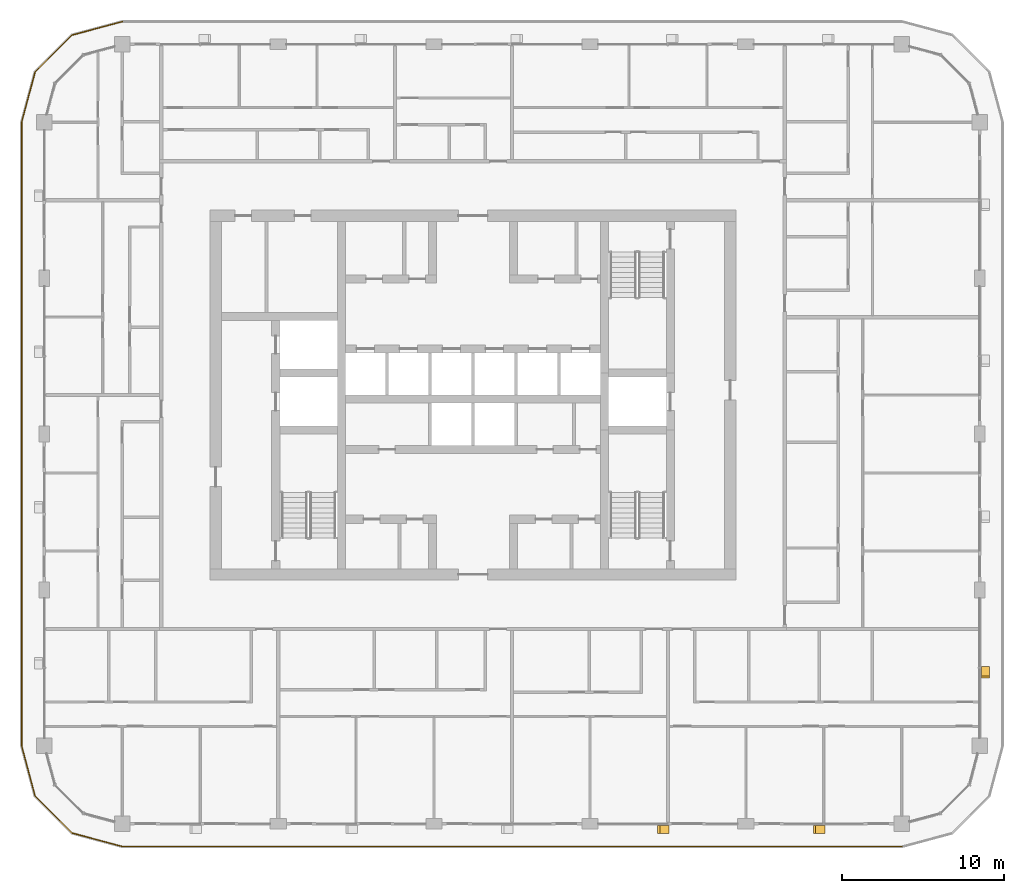
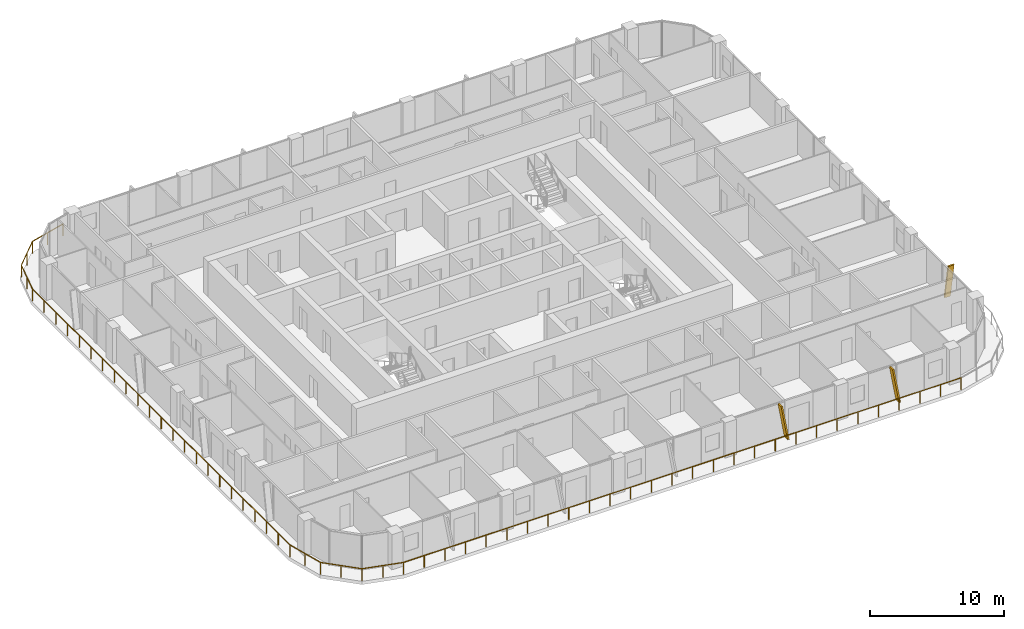
# One storey, part 19 of 22: 3 shading devices, 1 railing.
"""IFC4 building model written with IfcOpenShell, lengths in metres."""

from ifc_helpers import new_model, si_unit, direction, frame, origin, origin_2d, place, context, subcontext, project, spatial, polyline, circle, outline, extrude, material, type_object, element, save


model = new_model("IFC4")

# Units and contexts
model_context = context("Model", 3, precision=1e-05, world=origin(), true_north=direction((0.0, 1.0)))
body_context = subcontext(model_context, "Body", "Model", "MODEL_VIEW")
ifc_project = project(units=[si_unit("LENGTHUNIT", "METRE"), si_unit("AREAUNIT", "SQUARE_METRE"), si_unit("VOLUMEUNIT", "CUBIC_METRE"), si_unit("PLANEANGLEUNIT", "RADIAN"), si_unit("MASSUNIT", "GRAM", prefix="KILO")], contexts=[model_context])

# Site, building, storey
site_placement = place(None, origin())
site = spatial("IfcSite", under=ifc_project, at=site_placement, CompositionType="ELEMENT")
building_placement = place(site_placement, origin())
building = spatial("IfcBuilding", under=site, at=building_placement, Name="Madar Terraces", CompositionType="ELEMENT")
storey_placement = place(building_placement, frame((0.0, 0.0, 182.39990234375)))
storey = spatial("IfcBuildingStorey", under=building, at=storey_placement, Name="L47", CompositionType="ELEMENT", Elevation=182.39990234375)

# Railing
ifc_material_1 = material(Name="Glass, safety glazing, with stainless steel posts", Category="steel")
railing_type = type_object("IfcRailingType", Name="Balcony glass guard 1100", PredefinedType="GUARDRAIL", material=ifc_material_1)
railing_placement = place(storey_placement, frame((9.60009765625, 49.39990234375, 0.0)))
element("IfcRailing", 1, at=railing_placement, inside=storey, type_object=railing_type, Name="Balcony guard", PredefinedType="GUARDRAIL", context=body_context, shape_type="SweptSolid", body=[
    extrude(circle(Radius=0.02392578125, at=origin_2d()), frame((0.0, 0.0, 1.076171875), z_axis=(-0.9659337912, -0.258789317819, 0.0), x_axis=(0.258789317819, -0.9659337912, 0.0)), (0.0, 0.0, 1.0), 3.20947265625),
    extrude(circle(Radius=0.02392578125, at=origin_2d()), frame((-3.10009765625, -0.83056640625, 1.076171875), z_axis=(-0.707106781187, -0.707106781187, 0.0), x_axis=(0.707106781187, -0.707106781187, 0.0)), (0.0, 0.0, 1.0), 3.209228515625),
    extrude(circle(Radius=0.02392578125, at=origin_2d()), frame((-5.369384765625, -3.099853515625, 1.076171875), z_axis=(-0.258860290944, -0.965914773555, 0.0), x_axis=(0.965914773555, -0.258860290944, 0.0)), (0.0, 0.0, 1.0), 3.20947265625),
    extrude(circle(Radius=0.02392578125, at=origin_2d()), frame((-6.2001953125, -6.199951171875, 1.076171875), z_axis=(0.0, -1.0, 0.0), x_axis=(1.0, 0.0, 0.0)), (0.0, 0.0, 1.0), 38.39990234375),
    extrude(circle(Radius=0.02392578125, at=origin_2d()), frame((-6.2001953125, -44.599853515625, 1.076171875), z_axis=(0.258860290944, -0.965914773555, 0.0), x_axis=(0.965914773555, 0.258860290944, 0.0)), (0.0, 0.0, 1.0), 3.20947265625),
    extrude(circle(Radius=0.02392578125, at=origin_2d()), frame((-5.369384765625, -47.699951171875, 1.076171875), z_axis=(0.707106781187, -0.707106781187, 0.0), x_axis=(0.707106781187, 0.707106781187, 0.0)), (0.0, 0.0, 1.0), 3.209228515625),
    extrude(circle(Radius=0.02392578125, at=origin_2d()), frame((-3.10009765625, -49.96923828125, 1.076171875), z_axis=(0.9659337912, -0.258789317819, 0.0), x_axis=(0.258789317819, 0.9659337912, 0.0)), (0.0, 0.0, 1.0), 3.20947265625),
    extrude(circle(Radius=0.02392578125, at=origin_2d()), frame((0.0, -50.7998046875, 1.076171875), z_axis=(1.0, 0.0, 0.0), x_axis=(0.0, 1.0, 0.0)), (0.0, 0.0, 1.0), 48.0),
    extrude(circle(Radius=0.02099609375, at=origin_2d()), origin(), (0.0, 0.0, 1.0), 1.052001953125),
    extrude(circle(Radius=0.02099609375, at=origin_2d()), frame((-1.550048828125, -0.415283203125, 0.0)), (0.0, 0.0, 1.0), 1.052001953125),
    extrude(circle(Radius=0.02099609375, at=origin_2d()), frame((-3.10009765625, -0.83056640625, 0.0)), (0.0, 0.0, 1.0), 1.052001953125),
    extrude(circle(Radius=0.02099609375, at=origin_2d()), frame((-4.23486328125, -1.96533203125, 0.0)), (0.0, 0.0, 1.0), 1.052001953125),
    extrude(circle(Radius=0.02099609375, at=origin_2d()), frame((-5.369384765625, -3.099853515625, 0.0)), (0.0, 0.0, 1.0), 1.052001953125),
    extrude(circle(Radius=0.02099609375, at=origin_2d()), frame((-5.78466796875, -4.64990234375, 0.0)), (0.0, 0.0, 1.0), 1.052001953125),
    extrude(circle(Radius=0.02099609375, at=origin_2d()), frame((-6.2001953125, -6.199951171875, 0.0)), (0.0, 0.0, 1.0), 1.052001953125),
    extrude(circle(Radius=0.02099609375, at=origin_2d()), frame((-6.2001953125, -7.9453125, 0.0)), (0.0, 0.0, 1.0), 1.052001953125),
    extrude(circle(Radius=0.02099609375, at=origin_2d()), frame((-6.2001953125, -9.69091796875, 0.0)), (0.0, 0.0, 1.0), 1.052001953125),
    extrude(circle(Radius=0.02099609375, at=origin_2d()), frame((-6.2001953125, -11.436279296875, 0.0)), (0.0, 0.0, 1.0), 1.052001953125),
    extrude(circle(Radius=0.02099609375, at=origin_2d()), frame((-6.2001953125, -13.181640625, 0.0)), (0.0, 0.0, 1.0), 1.052001953125),
    extrude(circle(Radius=0.02099609375, at=origin_2d()), frame((-6.2001953125, -14.92724609375, 0.0)), (0.0, 0.0, 1.0), 1.052001953125),
    extrude(circle(Radius=0.02099609375, at=origin_2d()), frame((-6.2001953125, -16.672607421875, 0.0)), (0.0, 0.0, 1.0), 1.052001953125),
    extrude(circle(Radius=0.02099609375, at=origin_2d()), frame((-6.2001953125, -18.418212890625, 0.0)), (0.0, 0.0, 1.0), 1.052001953125),
    extrude(circle(Radius=0.02099609375, at=origin_2d()), frame((-6.2001953125, -20.16357421875, 0.0)), (0.0, 0.0, 1.0), 1.052001953125),
    extrude(circle(Radius=0.02099609375, at=origin_2d()), frame((-6.2001953125, -21.908935546875, 0.0)), (0.0, 0.0, 1.0), 1.052001953125),
    extrude(circle(Radius=0.02099609375, at=origin_2d()), frame((-6.2001953125, -23.654541015625, 0.0)), (0.0, 0.0, 1.0), 1.052001953125),
    extrude(circle(Radius=0.02099609375, at=origin_2d()), frame((-6.2001953125, -25.39990234375, 0.0)), (0.0, 0.0, 1.0), 1.052001953125),
    extrude(circle(Radius=0.02099609375, at=origin_2d()), frame((-6.2001953125, -27.145263671875, 0.0)), (0.0, 0.0, 1.0), 1.052001953125),
    extrude(circle(Radius=0.02099609375, at=origin_2d()), frame((-6.2001953125, -28.890869140625, 0.0)), (0.0, 0.0, 1.0), 1.052001953125),
    extrude(circle(Radius=0.02099609375, at=origin_2d()), frame((-6.2001953125, -30.63623046875, 0.0)), (0.0, 0.0, 1.0), 1.052001953125),
    extrude(circle(Radius=0.02099609375, at=origin_2d()), frame((-6.2001953125, -32.381591796875, 0.0)), (0.0, 0.0, 1.0), 1.052001953125),
    extrude(circle(Radius=0.02099609375, at=origin_2d()), frame((-6.2001953125, -34.127197265625, 0.0)), (0.0, 0.0, 1.0), 1.052001953125),
    extrude(circle(Radius=0.02099609375, at=origin_2d()), frame((-6.2001953125, -35.87255859375, 0.0)), (0.0, 0.0, 1.0), 1.052001953125),
    extrude(circle(Radius=0.02099609375, at=origin_2d()), frame((-6.2001953125, -37.6181640625, 0.0)), (0.0, 0.0, 1.0), 1.052001953125),
    extrude(circle(Radius=0.02099609375, at=origin_2d()), frame((-6.2001953125, -39.363525390625, 0.0)), (0.0, 0.0, 1.0), 1.052001953125),
    extrude(circle(Radius=0.02099609375, at=origin_2d()), frame((-6.2001953125, -41.10888671875, 0.0)), (0.0, 0.0, 1.0), 1.052001953125),
    extrude(circle(Radius=0.02099609375, at=origin_2d()), frame((-6.2001953125, -42.8544921875, 0.0)), (0.0, 0.0, 1.0), 1.052001953125),
    extrude(circle(Radius=0.02099609375, at=origin_2d()), frame((-6.2001953125, -44.599853515625, 0.0)), (0.0, 0.0, 1.0), 1.052001953125),
    extrude(circle(Radius=0.02099609375, at=origin_2d()), frame((-5.78466796875, -46.14990234375, 0.0)), (0.0, 0.0, 1.0), 1.052001953125),
    extrude(circle(Radius=0.02099609375, at=origin_2d()), frame((-5.369384765625, -47.699951171875, 0.0)), (0.0, 0.0, 1.0), 1.052001953125),
    extrude(circle(Radius=0.02099609375, at=origin_2d()), frame((-4.23486328125, -48.83447265625, 0.0)), (0.0, 0.0, 1.0), 1.052001953125),
    extrude(circle(Radius=0.02099609375, at=origin_2d()), frame((-3.10009765625, -49.96923828125, 0.0)), (0.0, 0.0, 1.0), 1.052001953125),
    extrude(circle(Radius=0.02099609375, at=origin_2d()), frame((-1.550048828125, -50.384521484375, 0.0)), (0.0, 0.0, 1.0), 1.052001953125),
    extrude(circle(Radius=0.02099609375, at=origin_2d()), frame((0.0, -50.7998046875, 0.0)), (0.0, 0.0, 1.0), 1.052001953125),
    extrude(circle(Radius=0.02099609375, at=origin_2d()), frame((1.77783203125, -50.7998046875, 0.0)), (0.0, 0.0, 1.0), 1.052001953125),
    extrude(circle(Radius=0.02099609375, at=origin_2d()), frame((3.5556640625, -50.7998046875, 0.0)), (0.0, 0.0, 1.0), 1.052001953125),
    extrude(circle(Radius=0.02099609375, at=origin_2d()), frame((5.333251953125, -50.7998046875, 0.0)), (0.0, 0.0, 1.0), 1.052001953125),
    extrude(circle(Radius=0.02099609375, at=origin_2d()), frame((7.111083984375, -50.7998046875, 0.0)), (0.0, 0.0, 1.0), 1.052001953125),
    extrude(circle(Radius=0.02099609375, at=origin_2d()), frame((8.888916015625, -50.7998046875, 0.0)), (0.0, 0.0, 1.0), 1.052001953125),
    extrude(circle(Radius=0.02099609375, at=origin_2d()), frame((10.666748046875, -50.7998046875, 0.0)), (0.0, 0.0, 1.0), 1.052001953125),
    extrude(circle(Radius=0.02099609375, at=origin_2d()), frame((12.4443359375, -50.7998046875, 0.0)), (0.0, 0.0, 1.0), 1.052001953125),
    extrude(circle(Radius=0.02099609375, at=origin_2d()), frame((14.22216796875, -50.7998046875, 0.0)), (0.0, 0.0, 1.0), 1.052001953125),
    extrude(circle(Radius=0.02099609375, at=origin_2d()), frame((16.0, -50.7998046875, 0.0)), (0.0, 0.0, 1.0), 1.052001953125),
    extrude(circle(Radius=0.02099609375, at=origin_2d()), frame((17.77783203125, -50.7998046875, 0.0)), (0.0, 0.0, 1.0), 1.052001953125),
    extrude(circle(Radius=0.02099609375, at=origin_2d()), frame((19.5556640625, -50.7998046875, 0.0)), (0.0, 0.0, 1.0), 1.052001953125),
    extrude(circle(Radius=0.02099609375, at=origin_2d()), frame((21.333251953125, -50.7998046875, 0.0)), (0.0, 0.0, 1.0), 1.052001953125),
    extrude(circle(Radius=0.02099609375, at=origin_2d()), frame((23.111083984375, -50.7998046875, 0.0)), (0.0, 0.0, 1.0), 1.052001953125),
    extrude(circle(Radius=0.02099609375, at=origin_2d()), frame((24.888916015625, -50.7998046875, 0.0)), (0.0, 0.0, 1.0), 1.052001953125),
    extrude(circle(Radius=0.02099609375, at=origin_2d()), frame((26.666748046875, -50.7998046875, 0.0)), (0.0, 0.0, 1.0), 1.052001953125),
    extrude(circle(Radius=0.02099609375, at=origin_2d()), frame((28.4443359375, -50.7998046875, 0.0)), (0.0, 0.0, 1.0), 1.052001953125),
    extrude(circle(Radius=0.02099609375, at=origin_2d()), frame((30.22216796875, -50.7998046875, 0.0)), (0.0, 0.0, 1.0), 1.052001953125),
    extrude(circle(Radius=0.02099609375, at=origin_2d()), frame((32.0, -50.7998046875, 0.0)), (0.0, 0.0, 1.0), 1.052001953125),
    extrude(circle(Radius=0.02099609375, at=origin_2d()), frame((33.77783203125, -50.7998046875, 0.0)), (0.0, 0.0, 1.0), 1.052001953125),
    extrude(circle(Radius=0.02099609375, at=origin_2d()), frame((35.5556640625, -50.7998046875, 0.0)), (0.0, 0.0, 1.0), 1.052001953125),
    extrude(circle(Radius=0.02099609375, at=origin_2d()), frame((37.333251953125, -50.7998046875, 0.0)), (0.0, 0.0, 1.0), 1.052001953125),
    extrude(circle(Radius=0.02099609375, at=origin_2d()), frame((39.111083984375, -50.7998046875, 0.0)), (0.0, 0.0, 1.0), 1.052001953125),
    extrude(circle(Radius=0.02099609375, at=origin_2d()), frame((40.888916015625, -50.7998046875, 0.0)), (0.0, 0.0, 1.0), 1.052001953125),
    extrude(circle(Radius=0.02099609375, at=origin_2d()), frame((42.666748046875, -50.7998046875, 0.0)), (0.0, 0.0, 1.0), 1.052001953125),
    extrude(circle(Radius=0.02099609375, at=origin_2d()), frame((44.4443359375, -50.7998046875, 0.0)), (0.0, 0.0, 1.0), 1.052001953125),
    extrude(circle(Radius=0.02099609375, at=origin_2d()), frame((46.22216796875, -50.7998046875, 0.0)), (0.0, 0.0, 1.0), 1.052001953125),
    extrude(circle(Radius=0.02099609375, at=origin_2d()), frame((48.0, -50.7998046875, 0.0)), (0.0, 0.0, 1.0), 1.052001953125),
])

# Shading devices
ifc_material_2 = material(Name="Aluminium, black anodised", Category="aluminium")
shading_device_type = type_object("IfcShadingDeviceType", Name="Facade fin blade 140 x 500", PredefinedType="USERDEFINED", material=ifc_material_2)
for number, where, z_axis, x_axis, name in (
    (2, (43.1298828125, -0.35009765625, 0.0), (0.0, 0.0, 1.0), (1.0, 0.0, 0.0), "FIN L47 S4"),
    (3, (52.72998046875, -0.35009765625, 0.0), (0.0, 0.0, 1.0), (1.0, 0.0, 0.0), "FIN L47 S5"),
):
    element("IfcShadingDevice", number, at=place(storey_placement, frame(where, z_axis=z_axis, x_axis=x_axis)), inside=storey, type_object=shading_device_type, Name=name, ObjectType="FIN", PredefinedType="USERDEFINED", context=body_context, shape_type="SweptSolid", body=[
        extrude(outline(polyline([(0.0, 0.0), (0.14013671875, 0.0), (-0.42431640625, 3.2001953125), (-0.564208984375, 3.2001953125), (0.0, 0.0)])), frame((0.0, 0.25, 0.0), z_axis=(0.0, -1.0, 0.0), x_axis=(1.0, 0.0, 0.0)), (0.0, 0.0, 1.0), 0.5),
    ])
shading_device_placement = place(storey_placement, frame((62.75, 9.530029296875, 0.0), z_axis=(0.0, 0.0, 1.0), x_axis=(0.0, 1.0, 0.0)))
element("IfcShadingDevice", 4, at=shading_device_placement, inside=storey, type_object=shading_device_type, Name="FIN L47 E1", ObjectType="FIN", PredefinedType="USERDEFINED", context=body_context, shape_type="SweptSolid", body=[
    extrude(outline(polyline([(0.0, 0.0), (0.139892578125, 0.0), (-0.42431640625, 3.2001953125), (-0.564208984375, 3.2001953125), (0.0, 0.0)])), frame((0.0, 0.25, 0.0), z_axis=(0.0, -1.0, 0.0), x_axis=(1.0, 0.0, 0.0)), (0.0, 0.0, 1.0), 0.5),
])

save(model, "model.ifc")
